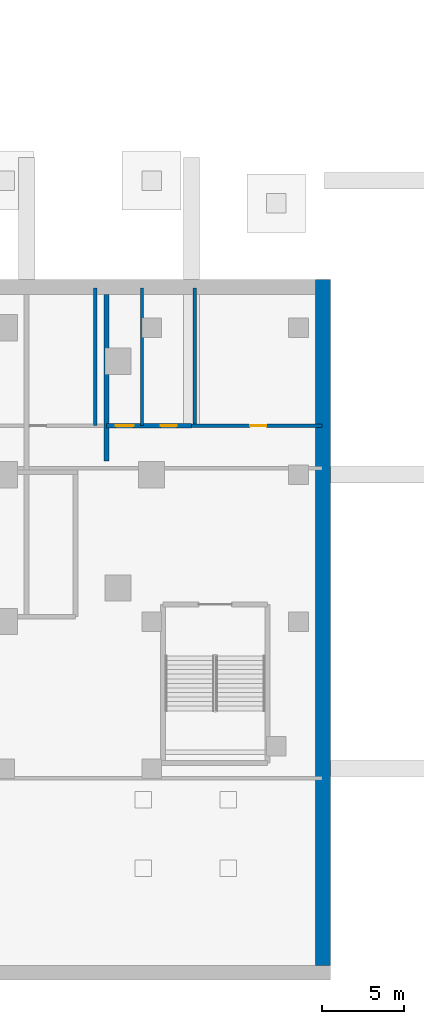
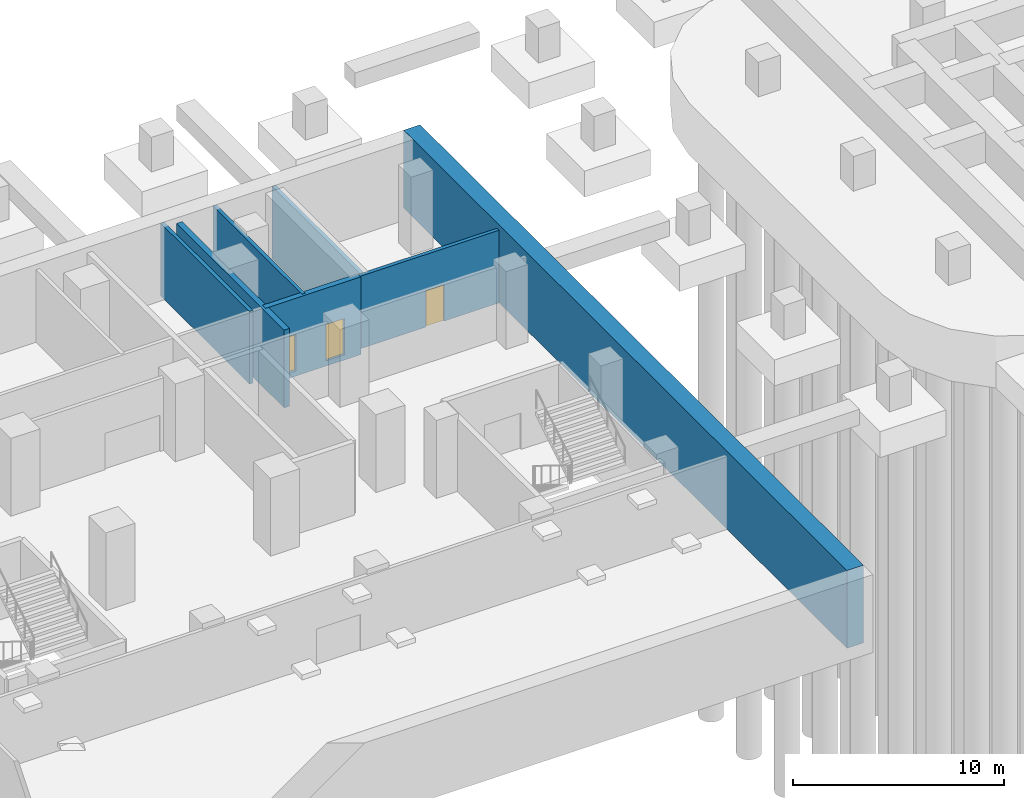
# One storey, part 8 of 14: 7 walls, 3 doors, 3 openings.
"""IFC4 building model written with IfcOpenShell, lengths in metres."""

import ifcopenshell
import ifcopenshell.guid

model = None  # the IFC model being written
_history = None  # IfcOwnerHistory: only IFC2X3 demands one
_inside = {}  # id of a spatial element -> (the spatial element, [elements in it])
_under = {}  # id of a project, library or spatial element -> (it, [spatial elements below it])
_declared = {}  # id of a project -> (the project, [libraries it declares])
_typed = {}  # id of a type object -> (the type object, [elements of that type])
_made_of = {}  # id of a material, layer set ... -> (it, [elements and type objects made of it])


def new_model(schema):
    """Start an empty IFC model of exactly this schema.

    Asked for "IFC4X3", IfcOpenShell would pick the latest addendum, in which some entities
    have other attributes; the version numbers below select the first issue.
    IFC2X3 requires an IfcOwnerHistory on every rooted entity: one is made here for all.
    """
    global model, _history
    if schema == "IFC4X3":
        model = ifcopenshell.file(schema_version=(4, 3, 0, 0))
    else:
        model = ifcopenshell.file(schema=schema)
    _inside.clear()
    _under.clear()
    _declared.clear()
    _typed.clear()
    _made_of.clear()
    _history = None
    if model.schema == "IFC2X3":
        org = make("IfcOrganization", Name="unknown")
        user = make(
            "IfcPersonAndOrganization",
            ThePerson=make("IfcPerson", FamilyName="unknown"),
            TheOrganization=org,
        )
        app = make(
            "IfcApplication",
            ApplicationDeveloper=org,
            Version="unknown",
            ApplicationFullName="unknown",
            ApplicationIdentifier="unknown",
        )
        _history = make(
            "IfcOwnerHistory",
            OwningUser=user,
            OwningApplication=app,
            ChangeAction="ADDED",
            CreationDate=0,
        )
    return model


def make(cls, **values):
    """One entity of the class cls with the attributes given. An attribute that is None is left unset."""
    return model.create_entity(
        cls, **{name: value for name, value in values.items() if value is not None}
    )


def rooted(cls, **values):
    """An entity with a GlobalId (a new one), such as an element, a storey or a relation."""
    return make(cls, GlobalId=ifcopenshell.guid.new(), OwnerHistory=_history, **values)


def si_unit(unit_type, name, prefix=None):
    """IfcSIUnit, for example si_unit("LENGTHUNIT", "METRE", prefix="MILLI")."""
    return make("IfcSIUnit", UnitType=unit_type, Prefix=prefix, Name=name)


def assignment(units):
    """IfcUnitAssignment: the units of a project."""
    return None if units is None else make("IfcUnitAssignment", Units=units)


def point(xyz):
    """IfcCartesianPoint."""
    return None if xyz is None else make("IfcCartesianPoint", Coordinates=xyz)


def direction(xyz):
    """IfcDirection."""
    return None if xyz is None else make("IfcDirection", DirectionRatios=xyz)


def frame(location, z_axis=None, x_axis=None):
    """IfcAxis2Placement3D, a coordinate frame: its origin and axes. An axis left out is left unset."""
    return make(
        "IfcAxis2Placement3D",
        Location=point(location),
        Axis=direction(z_axis),
        RefDirection=direction(x_axis),
    )


def frame_2d(location, x_axis=None):
    """IfcAxis2Placement2D, a coordinate frame in the plane: its origin and x axis."""
    return make(
        "IfcAxis2Placement2D", Location=point(location), RefDirection=direction(x_axis)
    )


def origin():
    """The frame at (0, 0, 0) with its axes left unset."""
    return frame((0.0, 0.0, 0.0))


def place(relative_to, where):
    """IfcLocalPlacement: puts the frame where relative to a parent placement (None: the world)."""
    return make(
        "IfcLocalPlacement", PlacementRelTo=relative_to, RelativePlacement=where
    )


def context(
    kind, dimensions, precision=None, world=None, true_north=None, identifier=None
):
    """IfcGeometricRepresentationContext, for example the 3D "Model" context."""
    return make(
        "IfcGeometricRepresentationContext",
        ContextIdentifier=identifier,
        ContextType=kind,
        CoordinateSpaceDimension=dimensions,
        Precision=precision,
        WorldCoordinateSystem=world,
        TrueNorth=true_north,
    )


def subcontext(parent, identifier, kind, view, scale=None):
    """IfcGeometricRepresentationSubContext, for example "Body" below "Model"."""
    return make(
        "IfcGeometricRepresentationSubContext",
        ContextIdentifier=identifier,
        ContextType=kind,
        ParentContext=parent,
        TargetScale=scale,
        TargetView=view,
    )


def project(units=None, contexts=None):
    """IfcProject with its units and contexts."""
    return rooted(
        "IfcProject",
        Name="project",
        RepresentationContexts=contexts,
        UnitsInContext=assignment(units),
    )


def spatial(cls, under=None, at=None, **own):
    """A site, building, storey or space (cls), placed at a placement, below another one or the project."""
    s = rooted(cls, ObjectPlacement=at, **own)
    if under is not None:
        _under.setdefault(under.id(), (under, []))[1].append(s)
    return s


def profile(cls, at=None, kind="AREA", **sizes):
    """A parametric profile (cls). Its sizes go by their IFC names, for example OverallWidth=200.0."""
    return make(cls, ProfileType=kind, Position=at, **sizes)


def rectangle(**sizes):
    """IfcRectangleProfileDef."""
    return profile("IfcRectangleProfileDef", **sizes)


def extrude(swept, where, along, depth):
    """IfcExtrudedAreaSolid: the profile swept, set in the frame where, extruded along a direction by depth."""
    return make(
        "IfcExtrudedAreaSolid",
        SweptArea=swept,
        Position=where,
        ExtrudedDirection=direction(along),
        Depth=depth,
    )


def shape(context_of_items, identifier, shape_type, items):
    """IfcShapeRepresentation: the items that make up one representation, for example the "Body"."""
    return make(
        "IfcShapeRepresentation",
        ContextOfItems=context_of_items,
        RepresentationIdentifier=identifier,
        RepresentationType=shape_type,
        Items=items,
    )


def material(Name=None, Category=None):
    """IfcMaterial."""
    return make("IfcMaterial", Name=Name, Category=Category)


def layer(
    of_material, thickness, ventilated=None, Name=None, Category=None, Priority=None
):
    """IfcMaterialLayer: one layer of a wall or slab, of a material (None: an air gap)."""
    return make(
        "IfcMaterialLayer",
        Material=of_material,
        LayerThickness=thickness,
        IsVentilated=ventilated,
        Name=Name,
        Category=Category,
        Priority=Priority,
    )


def layer_set(layers, Name=None):
    """IfcMaterialLayerSet."""
    return make("IfcMaterialLayerSet", MaterialLayers=layers, LayerSetName=Name)


def made_of(thing, what):
    """Note that an element or type object is made of a material, layer set ...; save() writes the relation."""
    if what is not None:
        _made_of.setdefault(what.id(), (what, []))[1].append(thing)
    return thing


def type_object(cls, material=None, **own):
    """A type object (cls), such as IfcWallType, which elements share."""
    return made_of(rooted(cls, **own), material)


def element(
    cls,
    number,
    at=None,
    inside=None,
    cuts=None,
    type_object=None,
    material=None,
    context=None,
    identifier="Body",
    shape_type=None,
    held_by="IfcProductDefinitionShape",
    body=None,
    shapes=None,
    **own,
):
    """One element of the class cls, such as IfcWall. Its Tag is "e" and its number.

    at: its placement. inside: the storey or other place that contains it. cuts: it is an
    opening in that element (IfcRelVoidsElement). A single representation is given by context,
    identifier, shape_type and body (its items); several are given by shapes. held_by: the class
    of the entity that holds the representations. save() writes the other relations.
    """
    e = rooted(cls, Tag="e%d" % number, ObjectPlacement=at, **own)
    if body is not None:
        shapes = [shape(context, identifier, shape_type, body)]
    if shapes is not None:
        e.Representation = make(held_by, Representations=shapes)
    if inside is not None:
        _inside.setdefault(inside.id(), (inside, []))[1].append(e)
    if cuts is not None:
        rooted(
            "IfcRelVoidsElement", RelatingBuildingElement=cuts, RelatedOpeningElement=e
        )
    if type_object is not None:
        _typed.setdefault(type_object.id(), (type_object, []))[1].append(e)
    return made_of(e, material)


def fill(opening, filler):
    """IfcRelFillsElement: the door or window that sits in an opening."""
    return rooted(
        "IfcRelFillsElement",
        RelatingOpeningElement=opening,
        RelatedBuildingElement=filler,
    )


def aggregate(whole, parts):
    """IfcRelAggregates: a whole, such as a stair, and the parts it consists of."""
    return rooted("IfcRelAggregates", RelatingObject=whole, RelatedObjects=parts)


def save(model, path):
    """Write the relations noted so far, then the file.

    IfcRelAggregates (storeys below a building ...), IfcRelContainedInSpatialStructure (elements
    in a storey), IfcRelDefinesByType, IfcRelAssociatesMaterial and IfcRelDeclares: one each for
    every whole, place, type object, material and project.
    """
    for whole, parts in _under.values():
        aggregate(whole, parts)
    for where, things in _inside.values():
        rooted(
            "IfcRelContainedInSpatialStructure",
            RelatedElements=things,
            RelatingStructure=where,
        )
    for kind, things in _typed.values():
        rooted("IfcRelDefinesByType", RelatedObjects=things, RelatingType=kind)
    for what, things in _made_of.values():
        rooted("IfcRelAssociatesMaterial", RelatedObjects=things, RelatingMaterial=what)
    for by, libraries in _declared.values():
        rooted("IfcRelDeclares", RelatingContext=by, RelatedDefinitions=libraries)
    model.write(path)


model = new_model("IFC4")

# Units and contexts
model_context = context("Model", 3, precision=1e-05, world=origin(), true_north=direction((0.0, 1.0)))
body_context = subcontext(model_context, "Body", "Model", "MODEL_VIEW")
ifc_project = project(units=[si_unit("LENGTHUNIT", "METRE"), si_unit("AREAUNIT", "SQUARE_METRE"), si_unit("VOLUMEUNIT", "CUBIC_METRE"), si_unit("PLANEANGLEUNIT", "RADIAN"), si_unit("MASSUNIT", "GRAM", prefix="KILO")], contexts=[model_context])

# Site, building, storey
site_placement = place(None, origin())
site = spatial("IfcSite", under=ifc_project, at=site_placement, CompositionType="ELEMENT")
building_placement = place(site_placement, origin())
building = spatial("IfcBuilding", under=site, at=building_placement, Name="Ogive Portal Towers", CompositionType="ELEMENT")
storey_placement = place(building_placement, frame((0.0, 0.0, -4.5)))
storey = spatial("IfcBuildingStorey", under=building, at=storey_placement, Name="B1", CompositionType="ELEMENT", Elevation=-4.5)

# Wall, openings, doors
ifc_material_1 = material(Name="Concrete C50/60", Category="concrete")
ifc_layer_1 = layer(ifc_material_1, 0.300048828125)
ifc_layer_set_1 = layer_set([ifc_layer_1], Name="STAIR WALL 300 C50")
wall_type_1 = type_object("IfcWallType", Name="STAIR WALL 300 C50", PredefinedType="SHEAR", material=ifc_layer_set_1)
wall_1_placement = place(storey_placement, frame((91.75, 33.5, -0.300048828125), z_axis=(0.0, 0.0, 1.0), x_axis=(1.0, 0.0, 0.0)))
wall_1 = element("IfcWall", 1, at=wall_1_placement, inside=storey, type_object=wall_type_1, Name="Stair wall support ST-P1 B1", PredefinedType="SHEAR", context=body_context, shape_type="SweptSolid", body=[
    extrude(rectangle(XDim=5.199951171875, YDim=0.300048828125, at=frame_2d((2.60009765625, 0.0))), origin(), (0.0, 0.0, 1.0), 4.5),
])
opening_1_placement = place(wall_1_placement, frame((0.550048828125, 0.0, 0.300048828125)))
opening_1 = element("IfcOpeningElement", 2, at=opening_1_placement, cuts=wall_1, Name="Opening PB1-003", PredefinedType="OPENING", context=body_context, shape_type="SweptSolid", body=[
    extrude(rectangle(XDim=1.10009765625, YDim=2.10009765625, at=frame_2d((0.550048828125, 1.050048828125))), frame((0.0, 0.16015625, 0.0), z_axis=(0.0, -1.0, 0.0), x_axis=(1.0, 0.0, 0.0)), (0.0, 0.0, 1.0), 0.320068359375),
])
opening_2_placement = place(wall_1_placement, frame((3.297119140625, 0.0, 0.300048828125)))
opening_2 = element("IfcOpeningElement", 3, at=opening_2_placement, cuts=wall_1, Name="Opening PB1-009", PredefinedType="OPENING", context=body_context, shape_type="SweptSolid", body=[
    extrude(rectangle(XDim=1.0, YDim=2.10009765625, at=frame_2d((0.5, 1.050048828125))), frame((0.0, 0.16015625, 0.0), z_axis=(0.0, -1.0, 0.0), x_axis=(1.0, 0.0, 0.0)), (0.0, 0.0, 1.0), 0.320068359375),
])
ifc_material_2 = material(Name="Steel fire door", Category="steel")
door_type_1 = type_object("IfcDoorType", Name="DT-ACCESS-1100x2100-FD60S", OperationType="SINGLE_SWING_LEFT", PredefinedType="DOOR", material=ifc_material_2)
door_1_placement = place(opening_1_placement, origin())
door_1 = element("IfcDoor", 4, at=door_1_placement, inside=storey, type_object=door_type_1, Name="Door PB1-003", OperationType="SINGLE_SWING_LEFT", OverallHeight=2.10009765625, OverallWidth=1.10009765625, PredefinedType="DOOR", context=body_context, shape_type="SweptSolid", body=[
    extrude(rectangle(XDim=1.10009765625, YDim=2.10009765625, at=frame_2d((0.550048828125, 1.050048828125))), frame((0.0, 0.02490234375, 0.0), z_axis=(0.0, -1.0, 0.0), x_axis=(1.0, 0.0, 0.0)), (0.0, 0.0, 1.0), 0.050048828125),
])
fill(opening_1, door_1)
door_type_2 = type_object("IfcDoorType", Name="DT-SWING-1000x2100-FD60S", OperationType="SINGLE_SWING_LEFT", PredefinedType="DOOR", material=ifc_material_2)
door_2_placement = place(opening_2_placement, origin())
door_2 = element("IfcDoor", 5, at=door_2_placement, inside=storey, type_object=door_type_2, Name="Door PB1-009", OperationType="SINGLE_SWING_LEFT", OverallHeight=2.10009765625, OverallWidth=1.0, PredefinedType="DOOR", context=body_context, shape_type="SweptSolid", body=[
    extrude(rectangle(XDim=1.0, YDim=2.10009765625, at=frame_2d((0.5, 1.050048828125))), frame((0.0, 0.02490234375, 0.0), z_axis=(0.0, -1.0, 0.0), x_axis=(1.0, 0.0, 0.0)), (0.0, 0.0, 1.0), 0.050048828125),
])
fill(opening_2, door_2)

# Walls
wall_2_placement = place(storey_placement, frame((91.75, 31.35009765625, -0.300048828125), z_axis=(0.0, 0.0, 1.0), x_axis=(0.0, 1.0, 0.0)))
element("IfcWall", 6, at=wall_2_placement, inside=storey, type_object=wall_type_1, Name="Stair wall support ST-P1 B1", PredefinedType="SHEAR", context=body_context, shape_type="SweptSolid", body=[
    extrude(rectangle(XDim=10.179931640625, YDim=0.300048828125, at=frame_2d((5.08984375, 0.0))), origin(), (0.0, 0.0, 1.0), 4.5),
])
ifc_material_3 = material(Name="Concrete C40/50", Category="concrete")
ifc_layer_2 = layer(ifc_material_3, 0.89990234375)
ifc_layer_set_2 = layer_set([ifc_layer_2], Name="STATION WALL 900 C40")
wall_type_2 = type_object("IfcWallType", Name="STATION WALL 900 C40", PredefinedType="SOLIDWALL", material=ifc_layer_set_2)
wall_3_placement = place(storey_placement, frame((105.0, 0.449951171875, 0.0), z_axis=(0.0, 0.0, 1.0), x_axis=(0.0, 1.0, 0.0)))
element("IfcWall", 7, at=wall_3_placement, inside=storey, type_object=wall_type_2, Name="Station wall B1", PredefinedType="SOLIDWALL", context=body_context, shape_type="SweptSolid", body=[
    extrude(rectangle(XDim=42.0, YDim=0.89990234375, at=frame_2d((21.0, 0.0))), origin(), (0.0, 0.0, 1.0), 4.5),
])
ifc_material_4 = material(Name="Gypsum board partition on steel studs", Category="steel")
ifc_layer_3 = layer(ifc_material_4, 0.199951171875)
ifc_layer_set_3 = layer_set([ifc_layer_3], Name="WT-PART-200-EI 60")
wall_type_3 = type_object("IfcWallType", Name="WT-PART-200-EI 60", PredefinedType="PARTITIONING", material=ifc_layer_set_3)
for number, where, z_axis, x_axis, name in (
    (8, (91.052978515625, 33.5, 0.0), (0.0, 0.0, 1.0), (0.0, 1.0, 0.0), "Wall B1:w036"),
    (9, (93.9130859375, 33.5, 0.0), (0.0, 0.0, 1.0), (0.0, 1.0, 0.0), "Wall B1:w037"),
    (10, (97.152099609375, 33.5, 0.0), (0.0, 0.0, 1.0), (0.0, 1.0, 0.0), "Wall B1:w039"),
):
    element("IfcWall", number, at=place(storey_placement, frame(where, z_axis=z_axis, x_axis=x_axis)), inside=storey, type_object=wall_type_3, Name=name, PredefinedType="PARTITIONING", context=body_context, shape_type="SweptSolid", body=[
        extrude(rectangle(XDim=8.429931640625, YDim=0.199951171875, at=frame_2d((4.21484375, 0.0))), origin(), (0.0, 0.0, 1.0), 4.199951171875),
    ])

# Wall, opening, door
wall_4_placement = place(storey_placement, frame((96.949951171875, 33.5, 0.0), z_axis=(0.0, 0.0, 1.0), x_axis=(1.0, 0.0, 0.0)))
wall_4 = element("IfcWall", 11, at=wall_4_placement, inside=storey, type_object=wall_type_3, Name="Wall B1:w012", PredefinedType="PARTITIONING", context=body_context, shape_type="SweptSolid", body=[
    extrude(rectangle(XDim=7.97998046875, YDim=0.199951171875, at=frame_2d((3.989990234375, 0.0))), origin(), (0.0, 0.0, 1.0), 4.199951171875),
])
opening_3_placement = place(wall_4_placement, frame((3.587890625, 0.0, 0.0)))
opening_3 = element("IfcOpeningElement", 12, at=opening_3_placement, cuts=wall_4, Name="Opening PB1-010", PredefinedType="OPENING", context=body_context, shape_type="SweptSolid", body=[
    extrude(rectangle(XDim=1.0, YDim=2.10009765625, at=frame_2d((0.5, 1.050048828125))), frame((0.0, 0.10986328125, 0.0), z_axis=(0.0, -1.0, 0.0), x_axis=(1.0, 0.0, 0.0)), (0.0, 0.0, 1.0), 0.219970703125),
])
door_3_placement = place(opening_3_placement, origin())
door_3 = element("IfcDoor", 13, at=door_3_placement, inside=storey, type_object=door_type_2, Name="Door PB1-010", OperationType="SINGLE_SWING_RIGHT", OverallHeight=2.10009765625, OverallWidth=1.0, PredefinedType="DOOR", context=body_context, shape_type="SweptSolid", body=[
    extrude(rectangle(XDim=1.0, YDim=2.10009765625, at=frame_2d((0.5, 1.050048828125))), frame((0.0, 0.02490234375, 0.0), z_axis=(0.0, -1.0, 0.0), x_axis=(1.0, 0.0, 0.0)), (0.0, 0.0, 1.0), 0.050048828125),
])
fill(opening_3, door_3)

save(model, "model.ifc")
